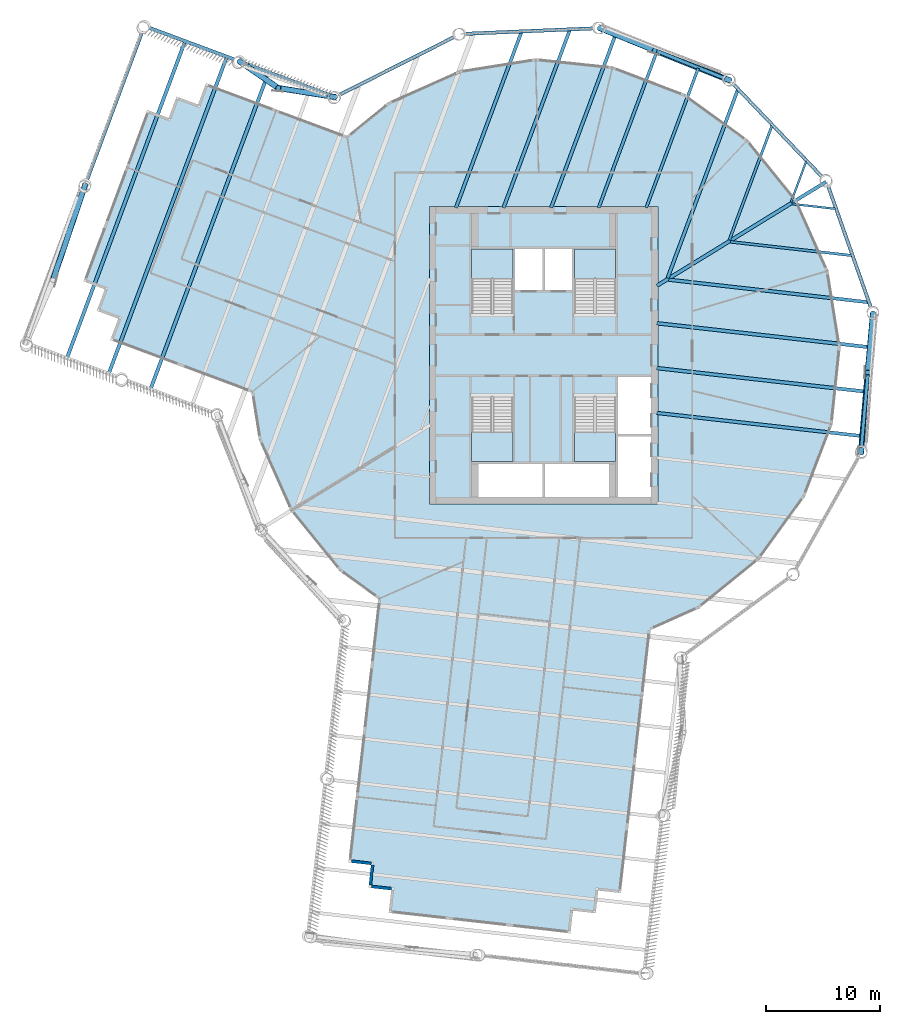
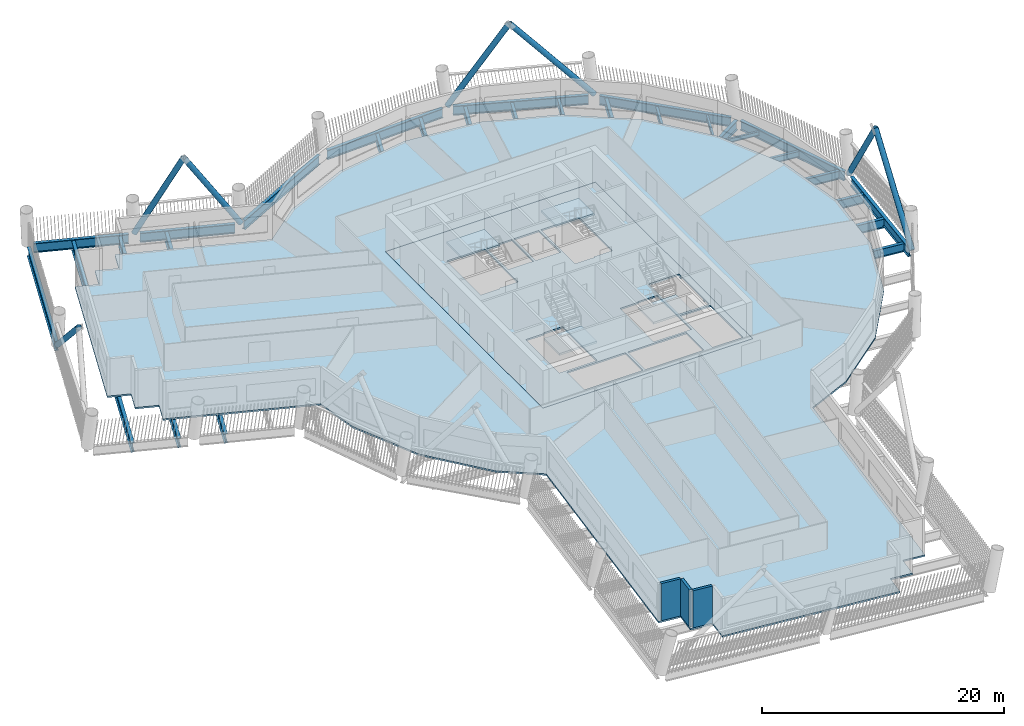
# One storey, part 2 of 22: 27 beams, 7 members, 6 slabs, 3 walls, 4 elements without a shape of their own.
"""IFC4 building model written with IfcOpenShell, lengths in metres."""

from ifc_helpers import new_model, si_unit, direction, frame, frame_2d, origin, origin_2d, place, context, subcontext, project, spatial, polyline, rectangle, hollow_circle, i_section, outline, extrude, material, layer, layer_set, material_profile, profile_set, type_object, element, aggregate, save


model = new_model("IFC4")

# Units and contexts
model_context = context("Model", 3, precision=1e-05, world=origin(), true_north=direction((0.0, 1.0)))
body_context = subcontext(model_context, "Body", "Model", "MODEL_VIEW")
ifc_project = project(units=[si_unit("LENGTHUNIT", "METRE"), si_unit("AREAUNIT", "SQUARE_METRE"), si_unit("VOLUMEUNIT", "CUBIC_METRE"), si_unit("PLANEANGLEUNIT", "RADIAN"), si_unit("MASSUNIT", "GRAM", prefix="KILO")], contexts=[model_context])

# Site, building, storey
site_placement = place(None, origin())
site = spatial("IfcSite", under=ifc_project, at=site_placement, CompositionType="ELEMENT")
building_placement = place(site_placement, origin())
building = spatial("IfcBuilding", under=site, at=building_placement, Name="Tarsis Ring Headquarters", CompositionType="ELEMENT")
storey_placement = place(building_placement, frame((0.0, 0.0, 200.39990234375)))
storey = spatial("IfcBuildingStorey", under=building, at=storey_placement, Name="L46", CompositionType="ELEMENT", Elevation=200.39990234375)

# Beams
ifc_material_1 = material(Name="Structural steel S355", Category="steel")
ifc_material_profile_1 = material_profile(ifc_material_1, i_section(OverallWidth=0.177734375, OverallDepth=0.406494140625, WebThickness=0.0078125, FlangeThickness=0.0126953125, at=origin_2d()), Name="W16x40")
ifc_profile_set_1 = profile_set([ifc_material_profile_1], Name="Structural steel S355")
beam_type_1 = type_object("IfcBeamType", Name="FB Floor beam W16x40", PredefinedType="JOIST", material=ifc_profile_set_1)
for number, where, z_axis, x_axis, name in (
    (1, (21.741455078125, 13.244873046875, -0.363037109375), (0.993691337956, -0.112149564743, 0.0), (0.112149564743, 0.993691337956, 0.0), "Floor beam FB1"),
    (2, (22.97265625, 16.9697265625, -0.363037109375), (-0.349217280985, -0.93704177637, 0.0), (0.93704177637, -0.349217280985, 0.0), "Floor beam FB1"),
):
    element("IfcBeam", number, at=place(storey_placement, frame(where, z_axis=z_axis, x_axis=x_axis)), inside=storey, type_object=beam_type_1, Name=name, PredefinedType="JOIST", context=body_context, shape_type="SweptSolid", body=[
        extrude(i_section(OverallWidth=0.177734375, OverallDepth=0.406494140625, WebThickness=0.0078125, FlangeThickness=0.0126953125, at=origin_2d()), origin(), (0.0, 0.0, 1.0), 3.80517578125),
    ])
ifc_material_profile_2 = material_profile(ifc_material_1, i_section(OverallWidth=0.228271484375, OverallDepth=0.607177734375, WebThickness=0.01123046875, FlangeThickness=0.017333984375, at=origin_2d()), Name="W24x76")
ifc_profile_set_2 = profile_set([ifc_material_profile_2], Name="Structural steel S355")
beam_type_2 = type_object("IfcBeamType", Name="FB Floor beam W24x76", PredefinedType="JOIST", material=ifc_profile_set_2)
for number, where, z_axis, x_axis, name in (
    (3, (16.34375, 9.929443359375, -0.46337890625), (0.993689394495, -0.112166783269, 0.0), (0.112166783269, 0.993689394495, 0.0), "Floor beam FB4"),
    (4, (19.9775390625, 20.1005859375, -0.46337890625), (-0.349232162289, -0.937036230262, 0.0), (0.937036230262, -0.349232162289, 0.0), "Floor beam FB4"),
):
    element("IfcBeam", number, at=place(storey_placement, frame(where, z_axis=z_axis, x_axis=x_axis)), inside=storey, type_object=beam_type_2, Name=name, PredefinedType="JOIST", context=body_context, shape_type="SweptSolid", body=[
        extrude(i_section(OverallWidth=0.228271484375, OverallDepth=0.607177734375, WebThickness=0.01123046875, FlangeThickness=0.017333984375, at=origin_2d()), origin(), (0.0, 0.0, 1.0), 10.684814453125),
    ])
ifc_material_profile_3 = material_profile(ifc_material_1, i_section(OverallWidth=0.2529296875, OverallDepth=0.67822265625, WebThickness=0.01171875, FlangeThickness=0.016357421875, at=origin_2d()), Name="W27x84")
ifc_profile_set_3 = profile_set([ifc_material_profile_3], Name="Structural steel S355")
beam_type_3 = type_object("IfcBeamType", Name="FB Floor beam W27x84", PredefinedType="JOIST", material=ifc_profile_set_3)
beam_1_placement = place(storey_placement, frame((13.519775390625, 25.1083984375, -0.4990234375), z_axis=(-0.349224263607, -0.937039174052, 0.0), x_axis=(0.937039174052, -0.349224263607, 0.0)))
element("IfcBeam", 5, at=beam_1_placement, inside=storey, type_object=beam_type_3, Name="Floor beam FB5", PredefinedType="JOIST", context=body_context, shape_type="SweptSolid", body=[
    extrude(i_section(OverallWidth=0.2529296875, OverallDepth=0.67822265625, WebThickness=0.01171875, FlangeThickness=0.016357421875, at=origin_2d()), origin(), (0.0, 0.0, 1.0), 13.02197265625),
])
ifc_material_profile_4 = material_profile(ifc_material_1, i_section(OverallWidth=0.2666015625, OverallDepth=0.7568359375, WebThickness=0.013916015625, FlangeThickness=0.019287109375, at=origin_2d()), Name="W30x108")
ifc_profile_set_4 = profile_set([ifc_material_profile_4], Name="Structural steel S355")
beam_type_4 = type_object("IfcBeamType", Name="FB Floor beam W30x108", PredefinedType="JOIST", material=ifc_profile_set_4)
beam_2_placement = place(storey_placement, frame((9.900634765625, 26.565185546875, -0.538330078125), z_axis=(-0.349226679599, -0.937038273634, 0.0), x_axis=(0.937038273634, -0.349226679599, 0.0)))
element("IfcBeam", 6, at=beam_2_placement, inside=storey, type_object=beam_type_4, Name="Floor beam FB6", PredefinedType="JOIST", context=body_context, shape_type="SweptSolid", body=[
    extrude(i_section(OverallWidth=0.2666015625, OverallDepth=0.7568359375, WebThickness=0.013916015625, FlangeThickness=0.019287109375, at=origin_2d()), origin(), (0.0, 0.0, 1.0), 14.57666015625),
])
ifc_material_profile_5 = material_profile(ifc_material_1, i_section(OverallWidth=0.2919921875, OverallDepth=0.835693359375, WebThickness=0.013916015625, FlangeThickness=0.018798828125, at=origin_2d()), Name="W33x118")
ifc_profile_set_5 = profile_set([ifc_material_profile_5], Name="Structural steel S355")
beam_type_5 = type_object("IfcBeamType", Name="FB Floor beam W33x118", PredefinedType="JOIST", material=ifc_profile_set_5)
beam_3_placement = place(storey_placement, frame((10.946044921875, 6.614013671875, -0.57763671875), z_axis=(0.993690522617, -0.11215678874, 0.0), x_axis=(0.11215678874, 0.993690522617, 0.0)))
element("IfcBeam", 7, at=beam_3_placement, inside=storey, type_object=beam_type_5, Name="Floor beam FB7", PredefinedType="JOIST", context=body_context, shape_type="SweptSolid", body=[
    extrude(i_section(OverallWidth=0.2919921875, OverallDepth=0.835693359375, WebThickness=0.013916015625, FlangeThickness=0.018798828125, at=origin_2d()), origin(), (0.0, 0.0, 1.0), 17.564453125),
])
beam_4_placement = place(storey_placement, frame((9.900634765625, -5.042236328125, -0.57763671875), z_axis=(0.993688864581, -0.112171477689, 0.0), x_axis=(0.112171477689, 0.993688864581, 0.0)))
element("IfcBeam", 8, at=beam_4_placement, inside=storey, type_object=beam_type_5, Name="Floor beam FB7", PredefinedType="JOIST", context=body_context, shape_type="SweptSolid", body=[
    extrude(i_section(OverallWidth=0.2919921875, OverallDepth=0.835693359375, WebThickness=0.013916015625, FlangeThickness=0.018798828125, at=origin_2d()), origin(), (0.0, 0.0, 1.0), 18.047607421875),
])
beam_5_placement = place(storey_placement, frame((16.982177734375, 23.2314453125, -0.57763671875), z_axis=(-0.349223181587, -0.937039577309, 0.0), x_axis=(0.937039577309, -0.349223181587, 0.0)))
element("IfcBeam", 9, at=beam_5_placement, inside=storey, type_object=beam_type_5, Name="Floor beam FB7", PredefinedType="JOIST", context=body_context, shape_type="SweptSolid", body=[
    extrude(i_section(OverallWidth=0.2919921875, OverallDepth=0.835693359375, WebThickness=0.013916015625, FlangeThickness=0.018798828125, at=origin_2d()), origin(), (0.0, 0.0, 1.0), 17.564208984375),
])
beam_6_placement = place(storey_placement, frame((6.281494140625, 28.02197265625, -0.57763671875), z_axis=(-0.349228629902, -0.93703754677, 0.0), x_axis=(0.93703754677, -0.349228629902, 0.0)))
element("IfcBeam", 10, at=beam_6_placement, inside=storey, type_object=beam_type_5, Name="Floor beam FB7", PredefinedType="JOIST", context=body_context, shape_type="SweptSolid", body=[
    extrude(i_section(OverallWidth=0.2919921875, OverallDepth=0.835693359375, WebThickness=0.013916015625, FlangeThickness=0.018798828125, at=origin_2d()), origin(), (0.0, 0.0, 1.0), 16.13134765625),
])
beam_7_placement = place(storey_placement, frame((2.280517578125, 28.4541015625, -0.57763671875), z_axis=(-0.349219986075, -0.93704076823, 0.0), x_axis=(0.93704076823, -0.349219986075, 0.0)))
element("IfcBeam", 11, at=beam_7_placement, inside=storey, type_object=beam_type_5, Name="Floor beam FB7", PredefinedType="JOIST", context=body_context, shape_type="SweptSolid", body=[
    extrude(i_section(OverallWidth=0.2919921875, OverallDepth=0.835693359375, WebThickness=0.013916015625, FlangeThickness=0.018798828125, at=origin_2d()), origin(), (0.0, 0.0, 1.0), 16.592529296875),
])
beam_8_placement = place(storey_placement, frame((-1.947998046875, 28.27587890625, -0.57763671875), z_axis=(-0.349220760168, -0.937040479738, 0.0), x_axis=(0.937040479738, -0.349220760168, 0.0)))
element("IfcBeam", 12, at=beam_8_placement, inside=storey, type_object=beam_type_5, Name="Floor beam FB7", PredefinedType="JOIST", context=body_context, shape_type="SweptSolid", body=[
    extrude(i_section(OverallWidth=0.2919921875, OverallDepth=0.835693359375, WebThickness=0.013916015625, FlangeThickness=0.018798828125, at=origin_2d()), origin(), (0.0, 0.0, 1.0), 16.40234375),
])
ifc_material_profile_6 = material_profile(ifc_material_1, i_section(OverallWidth=0.3046875, OverallDepth=0.904296875, WebThickness=0.01513671875, FlangeThickness=0.02001953125, at=origin_2d()), Name="W36x135")
ifc_profile_set_6 = profile_set([ifc_material_profile_6], Name="Structural steel S355")
beam_type_6 = type_object("IfcBeamType", Name="FB Floor beam W36x135", PredefinedType="JOIST", material=ifc_profile_set_6)
beam_9_placement = place(storey_placement, frame((9.900634765625, 2.80712890625, -0.612060546875), z_axis=(0.993691130817, -0.112151400064, 0.0), x_axis=(0.112151400064, 0.993691130817, 0.0)))
element("IfcBeam", 13, at=beam_9_placement, inside=storey, type_object=beam_type_6, Name="Floor beam FB8", PredefinedType="JOIST", context=body_context, shape_type="SweptSolid", body=[
    extrude(i_section(OverallWidth=0.3046875, OverallDepth=0.904296875, WebThickness=0.01513671875, FlangeThickness=0.02001953125, at=origin_2d()), origin(), (0.0, 0.0, 1.0), 18.7255859375),
])
beam_10_placement = place(storey_placement, frame((9.900634765625, -1.117431640625, -0.612060546875), z_axis=(0.993688538653, -0.112174364939, 0.0), x_axis=(0.112174364939, 0.993688538653, 0.0)))
element("IfcBeam", 14, at=beam_10_placement, inside=storey, type_object=beam_type_6, Name="Floor beam FB8", PredefinedType="JOIST", context=body_context, shape_type="SweptSolid", body=[
    extrude(i_section(OverallWidth=0.3046875, OverallDepth=0.904296875, WebThickness=0.01513671875, FlangeThickness=0.02001953125, at=origin_2d()), origin(), (0.0, 0.0, 1.0), 18.386474609375),
])
ifc_material_profile_7 = material_profile(ifc_material_1, i_section(OverallWidth=0.309814453125, OverallDepth=0.949951171875, WebThickness=0.0244140625, FlangeThickness=0.0439453125, at=origin_2d()), Name="W36x256")
ifc_profile_set_7 = profile_set([ifc_material_profile_7], Name="Structural steel S355")
beam_type_7 = type_object("IfcBeamType", Name="FB Floor beam W36x256", PredefinedType="JOIST", material=ifc_profile_set_7)
beam_11_placement = place(storey_placement, frame((-24.086181640625, 24.712646484375, -0.635009765625), z_axis=(-0.349227473582, -0.937037977723, 0.0), x_axis=(0.937037977723, -0.349227473582, 0.0)))
element("IfcBeam", 15, at=beam_11_placement, inside=storey, type_object=beam_type_7, Name="Floor beam FB11", PredefinedType="JOIST", context=body_context, shape_type="SweptSolid", body=[
    extrude(i_section(OverallWidth=0.309814453125, OverallDepth=0.949951171875, WebThickness=0.0244140625, FlangeThickness=0.0439453125, at=origin_2d()), origin(), (0.0, 0.0, 1.0), 29.490234375),
])
for number, where, z_axis, x_axis, name in (
    (16, (-27.74072265625, 26.074462890625, -0.635009765625), (-0.34922291363, -0.937039677172, 0.0), (0.937039677172, -0.34922291363, 0.0), "Floor beam FB11"),
    (17, (-31.39501953125, 27.4365234375, -0.635009765625), (-0.349230182709, -0.937036968046, 0.0), (0.937036968046, -0.349230182709, 0.0), "Floor beam FB11"),
):
    element("IfcBeam", number, at=place(storey_placement, frame(where, z_axis=z_axis, x_axis=x_axis)), inside=storey, type_object=beam_type_7, Name=name, PredefinedType="JOIST", context=body_context, shape_type="SweptSolid", body=[
        extrude(i_section(OverallWidth=0.309814453125, OverallDepth=0.949951171875, WebThickness=0.0244140625, FlangeThickness=0.0439453125, at=origin_2d()), origin(), (0.0, 0.0, 1.0), 29.489990234375),
    ])
beam_type_8 = type_object("IfcBeamType", Name="FB Floor beam W36x256 spine", PredefinedType="BEAM", material=ifc_profile_set_7)
beam_12_placement = place(storey_placement, frame((24.7021484375, 15.173095703125, -0.635009765625), z_axis=(-0.852092747148, -0.523390819807, 0.0), x_axis=(0.523390819807, -0.852092747148, 0.0)))
element("IfcBeam", 18, at=beam_12_placement, inside=storey, type_object=beam_type_8, Name="Floor beam SB11", PredefinedType="BEAM", context=body_context, shape_type="SweptSolid", body=[
    extrude(i_section(OverallWidth=0.309814453125, OverallDepth=0.949951171875, WebThickness=0.0244140625, FlangeThickness=0.0439453125, at=origin_2d()), origin(), (0.0, 0.0, 1.0), 17.354248046875),
])

# Members
ifc_material_profile_8 = material_profile(ifc_material_1, hollow_circle(Radius=0.25390625, WallThickness=0.02001953125, at=origin_2d()), Name="CHS 508x20")
ifc_profile_set_8 = profile_set([ifc_material_profile_8], Name="Structural steel S355")
member_type = type_object("IfcMemberType", Name="XD X brace CHS 508x20", PredefinedType="BRACE", material=ifc_profile_set_8)
member_1_placement = place(storey_placement, frame((27.7607421875, -8.553466796875, 0.0), z_axis=(0.056495469147, 0.669507242087, 0.740653977751), x_axis=(-0.996458600744, 0.084084820291, 0.0)))
element("IfcMember", 19, at=member_1_placement, inside=storey, type_object=member_type, Name="X brace XD2", PredefinedType="BRACE", context=body_context, shape_type="SweptSolid", body=[
    extrude(hollow_circle(Radius=0.25390625, WallThickness=0.02001953125, at=origin_2d()), origin(), (0.0, 0.0, 1.0), 10.53125),
])
member_2_placement = place(storey_placement, frame((28.818359375, 3.649658203125, 0.0), z_axis=(-0.049430342528, -0.550489682698, 0.833377315794), x_axis=(0.995992788251, -0.08943358291, 0.0)))
element("IfcMember", 20, at=member_2_placement, inside=storey, type_object=member_type, Name="X brace XD2", PredefinedType="BRACE", context=body_context, shape_type="SweptSolid", body=[
    extrude(hollow_circle(Radius=0.25390625, WallThickness=0.02001953125, at=origin_2d()), origin(), (0.0, 0.0, 1.0), 9.359619140625),
])
member_3_placement = place(storey_placement, frame((16.28466796875, 24.0546875, 0.0), z_axis=(-0.623842074131, 0.249490464578, 0.740658878722), x_axis=(-0.371331186075, -0.928500484786, 0.0)))
element("IfcMember", 21, at=member_3_placement, inside=storey, type_object=member_type, Name="X brace XD2", PredefinedType="BRACE", context=body_context, shape_type="SweptSolid", body=[
    extrude(hollow_circle(Radius=0.25390625, WallThickness=0.02001953125, at=origin_2d()), origin(), (0.0, 0.0, 1.0), 10.53125),
])
member_4_placement = place(storey_placement, frame((4.921875, 28.62841796875, 0.0), z_axis=(0.512093416163, -0.207946654118, 0.833377778779), x_axis=(0.376235260985, 0.926524165034, 0.0)))
element("IfcMember", 22, at=member_4_placement, inside=storey, type_object=member_type, Name="X brace XD2", PredefinedType="BRACE", context=body_context, shape_type="SweptSolid", body=[
    extrude(hollow_circle(Radius=0.25390625, WallThickness=0.02001953125, at=origin_2d()), origin(), (0.0, 0.0, 1.0), 9.359619140625),
])
member_5_placement = place(storey_placement, frame((-18.253173828125, 22.59716796875, 0.0), z_axis=(-0.53522423773, 0.085096103065, 0.840412796541), x_axis=(-0.157019293119, -0.987595535423, 0.0)))
element("IfcMember", 23, at=member_5_placement, inside=storey, type_object=member_type, Name="X brace XD2", PredefinedType="BRACE", context=body_context, shape_type="SweptSolid", body=[
    extrude(hollow_circle(Radius=0.25390625, WallThickness=0.02001953125, at=origin_2d()), origin(), (0.0, 0.0, 1.0), 9.28125),
])
member_6_placement = place(storey_placement, frame((-26.594970703125, 25.7060546875, 0.0), z_axis=(0.383032568027, -0.263253481202, 0.885428515729), x_axis=(0.566409876579, 0.824123687145, 0.0)))
element("IfcMember", 24, at=member_6_placement, inside=storey, type_object=member_type, Name="X brace XD2", PredefinedType="BRACE", context=body_context, shape_type="SweptSolid", body=[
    extrude(hollow_circle(Radius=0.25390625, WallThickness=0.02001953125, at=origin_2d()), origin(), (0.0, 0.0, 1.0), 8.809326171875),
])
member_7_placement = place(storey_placement, frame((-40.105224609375, 14.94677734375, 0.0), z_axis=(-0.24004632111, -0.71013271727, 0.661883137408), x_axis=(0.947339980338, -0.320229545253, 0.0)))
element("IfcMember", 25, at=member_7_placement, inside=storey, type_object=member_type, Name="X brace XD2", PredefinedType="BRACE", context=body_context, shape_type="SweptSolid", body=[
    extrude(hollow_circle(Radius=0.25390625, WallThickness=0.02001953125, at=origin_2d()), origin(), (0.0, 0.0, 1.0), 11.78466796875),
])

# Beams
beam_type_9 = type_object("IfcBeamType", Name="XG Ring girder W36x256", PredefinedType="BEAM", material=ifc_profile_set_7)
for number, where, z_axis, x_axis, name in (
    (26, (27.802001953125, -8.0751953125, -0.474853515625), (0.086356172926, 0.996264328076, 0.0), (-0.996264328076, 0.086356172926, 0.0), "Ring girder XG2"),
    (27, (28.658935546875, 4.102294921875, -0.474853515625), (-0.331969289168, 0.943290194505, 0.0), (-0.943290194505, -0.331969289168, 0.0), "Ring girder XG2"),
    (28, (24.420166015625, 15.550537109375, -0.474853515625), (-0.691275675409, 0.722591129608, 0.0), (-0.722591129608, -0.691275675409, 0.0), "Ring girder XG2"),
    (29, (15.83935546875, 24.23388671875, -0.474853515625), (-0.92766609113, 0.373410797068, 0.0), (-0.373410797068, -0.92766609113, 0.0), "Ring girder XG2"),
):
    element("IfcBeam", number, at=place(storey_placement, frame(where, z_axis=z_axis, x_axis=x_axis)), inside=storey, type_object=beam_type_9, Name=name, PredefinedType="BEAM", context=body_context, shape_type="SweptSolid", body=[
        extrude(i_section(OverallWidth=0.309814453125, OverallDepth=0.949951171875, WebThickness=0.0244140625, FlangeThickness=0.0439453125, at=origin_2d()), origin(), (0.0, 0.0, 1.0), 11.288818359375),
    ])
beam_13_placement = place(storey_placement, frame((4.442138671875, 28.608154296875, -0.474853515625), z_axis=(-0.999111235178, -0.042151390726, 0.0), x_axis=(0.042151390726, -0.999111235178, 0.0)))
element("IfcBeam", 30, at=beam_13_placement, inside=storey, type_object=beam_type_9, Name="Ring girder XG2", PredefinedType="BEAM", context=body_context, shape_type="SweptSolid", body=[
    extrude(i_section(OverallWidth=0.309814453125, OverallDepth=0.949951171875, WebThickness=0.0244140625, FlangeThickness=0.0439453125, at=origin_2d()), origin(), (0.0, 0.0, 1.0), 11.28857421875),
])
beam_14_placement = place(storey_placement, frame((-7.74462890625, 27.89599609375, -0.474853515625), z_axis=(-0.892912533276, -0.450230172155, 0.0), x_axis=(0.450230172155, -0.892912533276, 0.0)))
element("IfcBeam", 31, at=beam_14_placement, inside=storey, type_object=beam_type_9, Name="Ring girder XG2", PredefinedType="BEAM", context=body_context, shape_type="SweptSolid", body=[
    extrude(i_section(OverallWidth=0.309814453125, OverallDepth=0.949951171875, WebThickness=0.0244140625, FlangeThickness=0.0439453125, at=origin_2d()), origin(), (0.0, 0.0, 1.0), 11.288818359375),
])
beam_15_placement = place(storey_placement, frame((-18.703125, 22.764892578125, -0.474853515625), z_axis=(-0.937032216801, 0.349242930748, 0.0), x_axis=(-0.349242930748, -0.937032216801, 0.0)))
element("IfcBeam", 32, at=beam_15_placement, inside=storey, type_object=beam_type_9, Name="Ring girder XG2", PredefinedType="BEAM", context=body_context, shape_type="SweptSolid", body=[
    extrude(i_section(OverallWidth=0.309814453125, OverallDepth=0.949951171875, WebThickness=0.0244140625, FlangeThickness=0.0439453125, at=origin_2d()), origin(), (0.0, 0.0, 1.0), 7.94189453125),
])
beam_16_placement = place(storey_placement, frame((-27.044677734375, 25.873779296875, -0.474853515625), z_axis=(-0.937035966078, 0.349232871128, 0.0), x_axis=(-0.349232871128, -0.937035966078, 0.0)))
element("IfcBeam", 33, at=beam_16_placement, inside=storey, type_object=beam_type_9, Name="Ring girder XG2", PredefinedType="BEAM", context=body_context, shape_type="SweptSolid", body=[
    extrude(i_section(OverallWidth=0.309814453125, OverallDepth=0.949951171875, WebThickness=0.0244140625, FlangeThickness=0.0439453125, at=origin_2d()), origin(), (0.0, 0.0, 1.0), 7.942138671875),
])
beam_17_placement = place(storey_placement, frame((-35.104248046875, 28.365234375, -0.474853515625), z_axis=(-0.349226261555, -0.937038429436, 0.0), x_axis=(0.937038429436, -0.349226261555, 0.0)))
element("IfcBeam", 34, at=beam_17_placement, inside=storey, type_object=beam_type_9, Name="Ring girder XG2", PredefinedType="BEAM", context=body_context, shape_type="SweptSolid", body=[
    extrude(i_section(OverallWidth=0.309814453125, OverallDepth=0.949951171875, WebThickness=0.0244140625, FlangeThickness=0.0439453125, at=origin_2d()), origin(), (0.0, 0.0, 1.0), 13.83984375),
])

# Slab
ifc_material_2 = material(Name="Concrete C40/50", Category="concrete")
ifc_layer_1 = layer(ifc_material_2, 0.159912109375)
ifc_layer_set_1 = layer_set([ifc_layer_1], Name="Core floor slab 160 C40/50")
slab_type_1 = type_object("IfcSlabType", Name="Core floor slab 160 C40/50", PredefinedType="FLOOR", material=ifc_layer_set_1)
slab_1_placement = place(storey_placement, frame((0.0, 0.0, -0.159912109375)))
element("IfcSlab", 35, at=slab_1_placement, inside=storey, type_object=slab_type_1, Name="L46 core floor slab", PredefinedType="FLOOR", context=body_context, shape_type="SweptSolid", body=[
    extrude(outline(polyline([(-10.0, -13.0), (10.0, -13.0), (10.0, 13.0), (-10.0, 13.0), (-10.0, -13.0)]), holes=[polyline([(-2.5, 5.699951171875), (-0.10009765625, 5.699951171875), (-0.10009765625, 9.300048828125), (-2.5, 9.300048828125), (-2.5, 5.699951171875)]), polyline([(0.10009765625, 5.699951171875), (2.5, 5.699951171875), (2.5, 9.300048828125), (0.10009765625, 9.300048828125), (0.10009765625, 5.699951171875)]), polyline([(6.5, -12.39990234375), (9.39990234375, -12.39990234375), (9.39990234375, -7.10009765625), (6.5, -7.10009765625), (6.5, -12.39990234375)]), polyline([(6.5, -6.89990234375), (9.39990234375, -6.89990234375), (9.39990234375, -1.89990234375), (6.5, -1.89990234375), (6.5, -6.89990234375)]), polyline([(-5.699951171875, -12.39990234375), (-0.10009765625, -12.39990234375), (-0.10009765625, -9.5), (-5.699951171875, -9.5), (-5.699951171875, -12.39990234375)]), polyline([(0.10009765625, -12.39990234375), (5.699951171875, -12.39990234375), (5.699951171875, -9.5), (0.10009765625, -9.5), (0.10009765625, -12.39990234375)]), polyline([(-2.699951171875, 3.760009765625), (-2.699951171875, 9.300048828125), (-6.300048828125, 9.300048828125), (-6.300048828125, 3.659912109375), (-4.4599609375, 3.659912109375), (-4.4599609375, 3.760009765625), (-2.699951171875, 3.760009765625)]), polyline([(6.300048828125, 3.760009765625), (6.300048828125, 9.300048828125), (2.699951171875, 9.300048828125), (2.699951171875, 3.659912109375), (4.5400390625, 3.659912109375), (4.5400390625, 3.760009765625), (6.300048828125, 3.760009765625)]), polyline([(-6.300048828125, -3.760009765625), (-6.300048828125, -9.300048828125), (-2.699951171875, -9.300048828125), (-2.699951171875, -3.659912109375), (-4.5400390625, -3.659912109375), (-4.5400390625, -3.760009765625), (-6.300048828125, -3.760009765625)]), polyline([(2.699951171875, -3.760009765625), (2.699951171875, -9.300048828125), (6.300048828125, -9.300048828125), (6.300048828125, -3.659912109375), (4.4599609375, -3.659912109375), (4.4599609375, -3.760009765625), (2.699951171875, -3.760009765625)])]), origin(), (0.0, 0.0, 1.0), 0.159912109375),
])

# Stair, slab
ifc_material_3 = material(Name="Core stair 1760")
stair_type = type_object("IfcStairType", Name="Core stair 1760", PredefinedType="HALF_TURN_STAIR", material=ifc_material_3)
stair_1_placement = place(storey_placement, origin())
stair_1 = element("IfcStair", 36, at=stair_1_placement, inside=storey, type_object=stair_type, Name="L46 Firefighting stair", PredefinedType="HALF_TURN_STAIR")
ifc_layer_2 = layer(ifc_material_2, 0.199951171875)
ifc_layer_set_2 = layer_set([ifc_layer_2], Name="Core stair landing 200")
slab_type_2 = type_object("IfcSlabType", Name="Core stair landing 200", PredefinedType="LANDING", material=ifc_layer_set_2)
slab_2_placement = place(storey_placement, frame((0.0, 0.0, 1.75)))
slab_2 = element("IfcSlab", 37, at=slab_2_placement, type_object=slab_type_2, Name="Stair ST1 landing 1", PredefinedType="LANDING", context=body_context, shape_type="SweptSolid", body=[
    extrude(outline(polyline([(-2.699951171875, 6.739990234375), (-2.699951171875, 9.300048828125), (-6.300048828125, 9.300048828125), (-6.300048828125, 6.739990234375), (-2.699951171875, 6.739990234375)])), origin(), (0.0, 0.0, 1.0), 0.2001953125),
])
aggregate(stair_1, [slab_2])

stair_2_placement = place(storey_placement, origin())
stair_2 = element("IfcStair", 38, at=stair_2_placement, inside=storey, type_object=stair_type, Name="L46 Exit stair B", PredefinedType="HALF_TURN_STAIR")
slab_3_placement = place(storey_placement, frame((0.0, 0.0, 1.75)))
slab_3 = element("IfcSlab", 39, at=slab_3_placement, type_object=slab_type_2, Name="Stair ST2 landing 1", PredefinedType="LANDING", context=body_context, shape_type="SweptSolid", body=[
    extrude(outline(polyline([(6.300048828125, 6.739990234375), (6.300048828125, 9.300048828125), (2.699951171875, 9.300048828125), (2.699951171875, 6.739990234375), (6.300048828125, 6.739990234375)])), origin(), (0.0, 0.0, 1.0), 0.2001953125),
])
aggregate(stair_2, [slab_3])

stair_3_placement = place(storey_placement, origin())
stair_3 = element("IfcStair", 40, at=stair_3_placement, inside=storey, type_object=stair_type, Name="L46 Exit stair C", PredefinedType="HALF_TURN_STAIR")
slab_4_placement = place(storey_placement, frame((0.0, 0.0, 1.75)))
slab_4 = element("IfcSlab", 41, at=slab_4_placement, type_object=slab_type_2, Name="Stair ST3 landing 1", PredefinedType="LANDING", context=body_context, shape_type="SweptSolid", body=[
    extrude(outline(polyline([(-6.300048828125, -6.739990234375), (-6.300048828125, -9.300048828125), (-2.699951171875, -9.300048828125), (-2.699951171875, -6.739990234375), (-6.300048828125, -6.739990234375)])), origin(), (0.0, 0.0, 1.0), 0.2001953125),
])
aggregate(stair_3, [slab_4])

stair_4_placement = place(storey_placement, origin())
stair_4 = element("IfcStair", 42, at=stair_4_placement, inside=storey, type_object=stair_type, Name="L46 Exit stair D", PredefinedType="HALF_TURN_STAIR")
slab_5_placement = place(storey_placement, frame((0.0, 0.0, 1.75)))
slab_5 = element("IfcSlab", 43, at=slab_5_placement, type_object=slab_type_2, Name="Stair ST4 landing 1", PredefinedType="LANDING", context=body_context, shape_type="SweptSolid", body=[
    extrude(outline(polyline([(2.699951171875, -6.739990234375), (2.699951171875, -9.300048828125), (6.300048828125, -9.300048828125), (6.300048828125, -6.739990234375), (2.699951171875, -6.739990234375)])), origin(), (0.0, 0.0, 1.0), 0.2001953125),
])
aggregate(stair_4, [slab_5])

# Slab
ifc_material_4 = material(Name="Concrete C35/45", Category="concrete")
ifc_layer_3 = layer(ifc_material_4, 0.159912109375)
ifc_layer_set_3 = layer_set([ifc_layer_3], Name="FS Composite floor slab 160")
slab_type_3 = type_object("IfcSlabType", Name="FS Composite floor slab 160", PredefinedType="FLOOR", material=ifc_layer_set_3)
slab_6_placement = place(storey_placement, frame((0.0, 0.0, -0.159912109375)))
element("IfcSlab", 44, at=slab_6_placement, inside=storey, type_object=slab_type_3, Name="Floor slab L46", PredefinedType="FLOOR", context=body_context, shape_type="SweptSolid", body=[
    extrude(outline(polyline([(-25.58154296875, -3.272216796875), (-24.921630859375, -7.410400390625), (-22.154296875, -13.608154296875), (-17.87744140625, -18.87841796875), (-14.484619140625, -21.337890625), (-17.083740234375, -44.36376953125), (-15.096435546875, -44.588134765625), (-15.32080078125, -46.575439453125), (-13.333251953125, -46.7998046875), (-13.5576171875, -48.787109375), (2.34130859375, -50.581787109375), (2.565673828125, -48.594482421875), (4.552978515625, -48.81884765625), (4.77734375, -46.831298828125), (6.764892578125, -47.0556640625), (9.361572265625, -24.050537109375), (13.608154296875, -22.154296875), (18.87841796875, -17.87744140625), (22.8623046875, -12.382080078125), (25.287841796875, -6.043212890625), (25.990478515625, 0.707763671875), (24.921630859375, 7.410400390625), (22.154296875, 13.608154296875), (17.87744140625, 18.87841796875), (12.382080078125, 22.8623046875), (6.043212890625, 25.287841796875), (-0.707763671875, 25.990478515625), (-7.410400390625, 24.921630859375), (-13.608154296875, 22.154296875), (-17.219482421875, 19.223876953125), (-29.542724609375, 23.816650390625), (-30.2412109375, 21.942626953125), (-32.115234375, 22.640869140625), (-32.813720703125, 20.766845703125), (-34.687744140625, 21.46533203125), (-40.275390625, 6.47265625), (-38.4013671875, 5.7744140625), (-39.099609375, 3.900146484375), (-37.2255859375, 3.20166015625), (-37.924072265625, 1.32763671875), (-25.58154296875, -3.272216796875)]), holes=[polyline([(-10.0, -13.0), (-10.0, 13.0), (10.0, 13.0), (10.0, -13.0), (-10.0, -13.0)])]), origin(), (0.0, 0.0, 1.0), 0.159912109375),
])

# Walls
ifc_material_5 = material(Name="Terracotta clad insulated panel wall", Category="masonry")
ifc_layer_4 = layer(ifc_material_5, 0.25)
ifc_layer_set_4 = layer_set([ifc_layer_4], Name="Facade wall terracotta panel 250")
wall_type = type_object("IfcWallType", Name="Facade wall terracotta panel 250", PredefinedType="STANDARD", material=ifc_layer_set_4)
for number, where, z_axis, x_axis, name in (
    (45, (-16.8212890625, -44.267578125, 0.0), (0.0, 0.0, 1.0), (0.993689984778, -0.112161553806, 0.0), "External wall L46-07"),
    (46, (-14.97216796875, -44.60205078125, 0.0), (0.0, 0.0, 1.0), (-0.112161553806, -0.993689984778, 0.0), "External wall L46-08"),
    (47, (-15.058349609375, -46.479248046875, 0.0), (0.0, 0.0, 1.0), (0.993689984778, -0.112161553806, 0.0), "External wall L46-09"),
):
    element("IfcWall", number, at=place(storey_placement, frame(where, z_axis=z_axis, x_axis=x_axis)), inside=storey, type_object=wall_type, Name=name, PredefinedType="STANDARD", context=body_context, shape_type="SweptSolid", body=[
        extrude(rectangle(XDim=1.75, YDim=0.25, at=frame_2d((0.875, 0.0))), origin(), (0.0, 0.0, 1.0), 3.739990234375),
    ])

save(model, "model.ifc")
